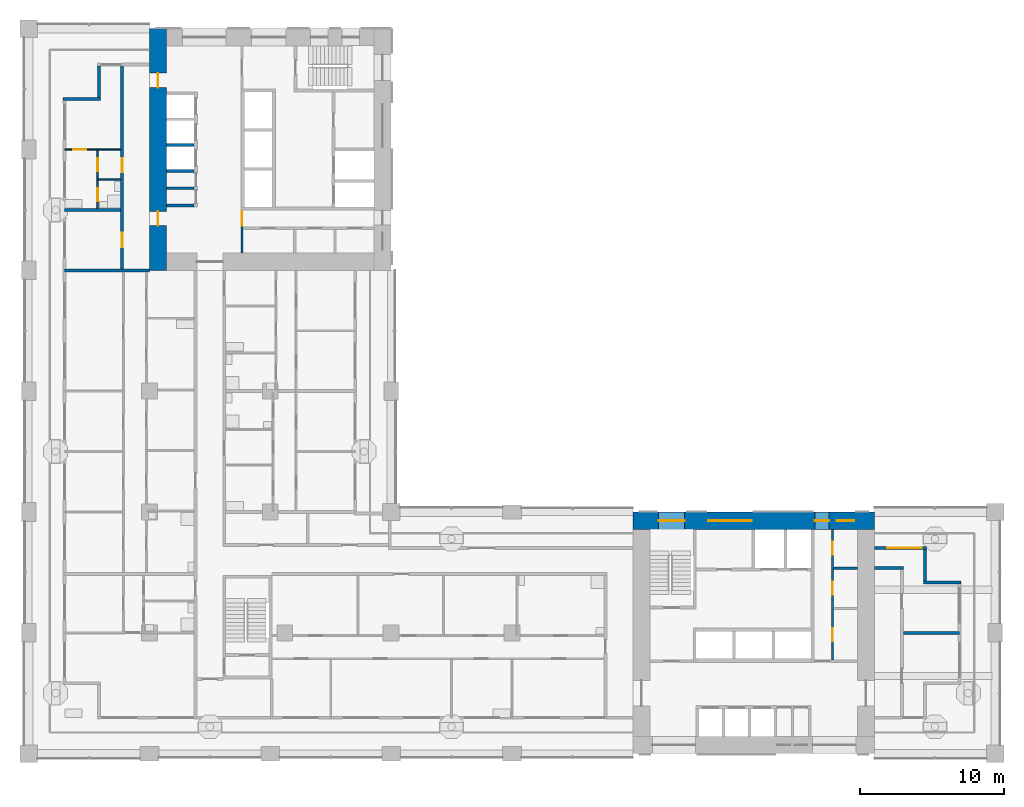
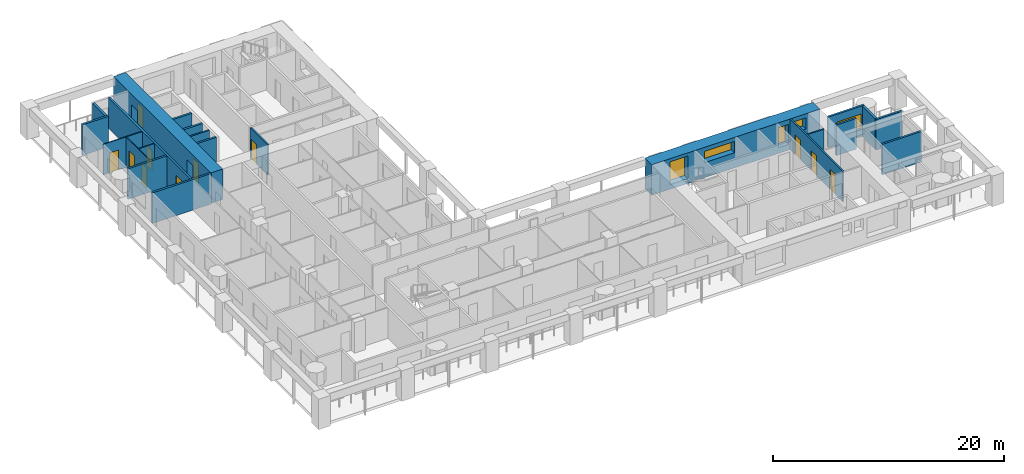
# One storey, part 6 of 18: 22 walls, 11 doors, 5 windows, 16 openings.
"""IFC4 building model written with IfcOpenShell, lengths in metres."""

from ifc_helpers import new_model, si_unit, direction, frame, frame_2d, origin, place, context, subcontext, project, spatial, rectangle, extrude, material, layer, layer_set, type_object, element, fill, save


model = new_model("IFC4")

# Units and contexts
model_context = context("Model", 3, precision=1e-05, world=origin(), true_north=direction((0.0, 1.0)))
body_context = subcontext(model_context, "Body", "Model", "MODEL_VIEW")
ifc_project = project(units=[si_unit("LENGTHUNIT", "METRE"), si_unit("AREAUNIT", "SQUARE_METRE"), si_unit("VOLUMEUNIT", "CUBIC_METRE"), si_unit("PLANEANGLEUNIT", "RADIAN"), si_unit("MASSUNIT", "GRAM", prefix="KILO")], contexts=[model_context])

# Site, building, storey
site_placement = place(None, origin())
site = spatial("IfcSite", under=ifc_project, at=site_placement, CompositionType="ELEMENT")
building_placement = place(site_placement, origin())
building = spatial("IfcBuilding", under=site, at=building_placement, Name="Vermilion Gate Residences", CompositionType="ELEMENT")
storey_placement = place(building_placement, frame((0.0, 0.0, 88.199951171875)))
storey = spatial("IfcBuildingStorey", under=building, at=storey_placement, Name="L21", CompositionType="ELEMENT", Elevation=88.199951171875)

# Wall
ifc_material_1 = material(Name="Masonry blockwork", Category="masonry")
ifc_layer_1 = layer(ifc_material_1, 0.14990234375)
ifc_layer_set_1 = layer_set([ifc_layer_1], Name="BLOCKWORK PARTITION 150 EI 120")
wall_type_1 = type_object("IfcWallType", Name="BLOCKWORK PARTITION 150 EI 120", PredefinedType="PARTITIONING", material=ifc_layer_set_1)
wall_1_placement = place(storey_placement, frame((55.949951171875, 21.284912109375, 0.0), z_axis=(0.0, 0.0, 1.0), x_axis=(1.0, 0.0, 0.0)))
element("IfcWall", 1, at=wall_1_placement, inside=storey, type_object=wall_type_1, Name="Core room partition A21-ES-P1", PredefinedType="PARTITIONING", context=body_context, shape_type="SweptSolid", body=[
    extrude(rectangle(XDim=1.650146484375, YDim=0.14990234375, at=frame_2d((0.8251953125, 0.0))), origin(), (0.0, 0.0, 1.0), 3.219970703125),
])

# Wall, openings, doors
wall_2_placement = place(storey_placement, frame((55.875, 14.89990234375, 0.0), z_axis=(0.0, 0.0, 1.0), x_axis=(0.0, 1.0, 0.0)))
wall_2 = element("IfcWall", 2, at=wall_2_placement, inside=storey, type_object=wall_type_1, Name="Core room partition A21-ES-W", PredefinedType="PARTITIONING", context=body_context, shape_type="SweptSolid", body=[
    extrude(rectangle(XDim=9.10009765625, YDim=0.14990234375, at=frame_2d((4.550048828125, 0.0))), origin(), (0.0, 0.0, 1.0), 3.219970703125),
])
opening_1_placement = place(wall_2_placement, frame((1.31005859375, 0.0, 0.0)))
opening_1 = element("IfcOpeningElement", 3, at=opening_1_placement, cuts=wall_2, Name="Opening DK21014", PredefinedType="OPENING", context=body_context, shape_type="SweptSolid", body=[
    extrude(rectangle(XDim=0.89990234375, YDim=2.10009765625, at=frame_2d((0.449951171875, 1.050048828125))), frame((0.0, 0.0849609375, 0.0), z_axis=(0.0, -1.0, 0.0), x_axis=(1.0, 0.0, 0.0)), (0.0, 0.0, 1.0), 0.169921875),
])
opening_2_placement = place(wall_2_placement, frame((4.5400390625, 0.0, 0.0)))
opening_2 = element("IfcOpeningElement", 4, at=opening_2_placement, cuts=wall_2, Name="Opening DK21015", PredefinedType="OPENING", context=body_context, shape_type="SweptSolid", body=[
    extrude(rectangle(XDim=0.89990234375, YDim=2.10009765625, at=frame_2d((0.449951171875, 1.050048828125))), frame((0.0, 0.0849609375, 0.0), z_axis=(0.0, -1.0, 0.0), x_axis=(1.0, 0.0, 0.0)), (0.0, 0.0, 1.0), 0.169921875),
])
opening_3_placement = place(wall_2_placement, frame((7.330078125, 0.0, 0.0)))
opening_3 = element("IfcOpeningElement", 5, at=opening_3_placement, cuts=wall_2, Name="Opening DK21016", PredefinedType="OPENING", context=body_context, shape_type="SweptSolid", body=[
    extrude(rectangle(XDim=0.89990234375, YDim=2.10009765625, at=frame_2d((0.449951171875, 1.050048828125))), frame((0.0, 0.0849609375, 0.0), z_axis=(0.0, -1.0, 0.0), x_axis=(1.0, 0.0, 0.0)), (0.0, 0.0, 1.0), 0.169921875),
])
ifc_material_2 = material(Name="Steel", Category="steel")
door_type_1 = type_object("IfcDoorType", Name="SERVICE ROOM DOOR FD60 900 X 2100", OperationType="SINGLE_SWING_LEFT", PredefinedType="DOOR", material=ifc_material_2)
door_1_placement = place(opening_1_placement, frame((0.89990234375, 0.0, 0.0), z_axis=(0.0, 0.0, 1.0), x_axis=(-1.0, 0.0, 0.0)))
door_1 = element("IfcDoor", 6, at=door_1_placement, inside=storey, type_object=door_type_1, Name="Parcel room A21", OperationType="SINGLE_SWING_RIGHT", OverallHeight=2.10009765625, OverallWidth=0.89990234375, PredefinedType="DOOR", context=body_context, shape_type="SweptSolid", body=[
    extrude(rectangle(XDim=0.89990234375, YDim=2.10009765625, at=frame_2d((0.449951171875, 1.050048828125))), frame((0.0, 0.02490234375, 0.0), z_axis=(0.0, -1.0, 0.0), x_axis=(1.0, 0.0, 0.0)), (0.0, 0.0, 1.0), 0.050048828125),
])
fill(opening_1, door_1)
door_2_placement = place(opening_2_placement, frame((0.89990234375, 0.0, 0.0), z_axis=(0.0, 0.0, 1.0), x_axis=(-1.0, 0.0, 0.0)))
door_2 = element("IfcDoor", 7, at=door_2_placement, inside=storey, type_object=door_type_1, Name="Cleaner's store A21", OperationType="SINGLE_SWING_RIGHT", OverallHeight=2.10009765625, OverallWidth=0.89990234375, PredefinedType="DOOR", context=body_context, shape_type="SweptSolid", body=[
    extrude(rectangle(XDim=0.89990234375, YDim=2.10009765625, at=frame_2d((0.449951171875, 1.050048828125))), frame((0.0, 0.02490234375, 0.0), z_axis=(0.0, -1.0, 0.0), x_axis=(1.0, 0.0, 0.0)), (0.0, 0.0, 1.0), 0.050048828125),
])
fill(opening_2, door_2)
door_3_placement = place(opening_3_placement, frame((0.89990234375, 0.0, 0.0), z_axis=(0.0, 0.0, 1.0), x_axis=(-1.0, 0.0, 0.0)))
door_3 = element("IfcDoor", 8, at=door_3_placement, inside=storey, type_object=door_type_1, Name="Electrical room A21", OperationType="SINGLE_SWING_LEFT", OverallHeight=2.10009765625, OverallWidth=0.89990234375, PredefinedType="DOOR", context=body_context, shape_type="SweptSolid", body=[
    extrude(rectangle(XDim=0.89990234375, YDim=2.10009765625, at=frame_2d((0.449951171875, 1.050048828125))), frame((0.0, 0.02490234375, 0.0), z_axis=(0.0, -1.0, 0.0), x_axis=(1.0, 0.0, 0.0)), (0.0, 0.0, 1.0), 0.050048828125),
])
fill(opening_3, door_3)

# Wall
wall_3_placement = place(storey_placement, frame((9.60009765625, 47.699951171875, 0.0), z_axis=(0.0, 0.0, 1.0), x_axis=(1.0, 0.0, 0.0)))
element("IfcWall", 9, at=wall_3_placement, inside=storey, type_object=wall_type_1, Name="Core room partition B21-SR-P0", PredefinedType="PARTITIONING", context=body_context, shape_type="SweptSolid", body=[
    extrude(rectangle(XDim=1.89990234375, YDim=0.14990234375, at=frame_2d((0.949951171875, 0.0))), origin(), (0.0, 0.0, 1.0), 3.219970703125),
])

# Wall, opening, door
wall_4_placement = place(storey_placement, frame((14.824951171875, 46.199951171875, 0.0), z_axis=(0.0, 0.0, 1.0), x_axis=(0.0, -1.0, 0.0)))
wall_4 = element("IfcWall", 10, at=wall_4_placement, inside=storey, type_object=wall_type_1, Name="Core room partition B21-ES-S", PredefinedType="PARTITIONING", context=body_context, shape_type="SweptSolid", body=[
    extrude(rectangle(XDim=3.0, YDim=0.14990234375, at=frame_2d((1.5, 0.0))), origin(), (0.0, 0.0, 1.0), 3.219970703125),
])
opening_4_placement = place(wall_4_placement, frame((0.10009765625, 0.0, 0.0)))
opening_4 = element("IfcOpeningElement", 11, at=opening_4_placement, cuts=wall_4, Name="Opening DK21114", PredefinedType="OPENING", context=body_context, shape_type="SweptSolid", body=[
    extrude(rectangle(XDim=1.0, YDim=2.10009765625, at=frame_2d((0.5, 1.050048828125))), frame((0.0, 0.0849609375, 0.0), z_axis=(0.0, -1.0, 0.0), x_axis=(1.0, 0.0, 0.0)), (0.0, 0.0, 1.0), 0.169921875),
])
ifc_material_3 = material(Name="Steel", Category="steel")
door_type_2 = type_object("IfcDoorType", Name="FIRE DOOR FD60 1000 X 2100", OperationType="SINGLE_SWING_LEFT", PredefinedType="DOOR", material=ifc_material_3)
door_4_placement = place(opening_4_placement, frame((1.0, 0.0, 0.0), z_axis=(0.0, 0.0, 1.0), x_axis=(-1.0, 0.0, 0.0)))
door_4 = element("IfcDoor", 12, at=door_4_placement, inside=storey, type_object=door_type_2, Name="Service corridor door B21", OperationType="SINGLE_SWING_LEFT", OverallHeight=2.10009765625, OverallWidth=1.0, PredefinedType="DOOR", context=body_context, shape_type="SweptSolid", body=[
    extrude(rectangle(XDim=1.0, YDim=2.10009765625, at=frame_2d((0.5, 1.050048828125))), frame((0.0, 0.02490234375, 0.0), z_axis=(0.0, -1.0, 0.0), x_axis=(1.0, 0.0, 0.0)), (0.0, 0.0, 1.0), 0.050048828125),
])
fill(opening_4, door_4)

# Walls
ifc_material_4 = material(Name="Insulated steel stud wall with terracotta rainscreen", Category="masonry")
ifc_layer_2 = layer(ifc_material_4, 0.199951171875)
ifc_layer_set_2 = layer_set([ifc_layer_2], Name="EXTERNAL WALL 200 TERRACOTTA RAINSCREEN")
wall_type_2 = type_object("IfcWallType", Name="EXTERNAL WALL 200 TERRACOTTA RAINSCREEN", PredefinedType="SOLIDWALL", material=ifc_layer_set_2)
wall_5_placement = place(storey_placement, frame((4.89990234375, 56.199951171875, 0.0), z_axis=(0.0, 0.0, 1.0), x_axis=(0.0, -1.0, 0.0)))
element("IfcWall", 13, at=wall_5_placement, inside=storey, type_object=wall_type_2, Name="External wall", PredefinedType="SOLIDWALL", context=body_context, shape_type="SweptSolid", body=[
    extrude(rectangle(XDim=2.199951171875, YDim=0.199951171875, at=frame_2d((1.10009765625, 0.0))), origin(), (0.0, 0.0, 1.0), 3.219970703125),
])
for number, where, z_axis, x_axis, name in (
    (14, (5.0, 53.89990234375, 0.0), (0.0, 0.0, 1.0), (-1.0, 0.0, 0.0), "External wall"),
    (15, (64.800048828125, 20.300048828125, 0.0), (0.0, 0.0, 1.0), (-1.0, 0.0, 0.0), "External wall"),
):
    element("IfcWall", number, at=place(storey_placement, frame(where, z_axis=z_axis, x_axis=x_axis)), inside=storey, type_object=wall_type_2, Name=name, PredefinedType="SOLIDWALL", context=body_context, shape_type="SweptSolid", body=[
        extrude(rectangle(XDim=2.60009765625, YDim=0.199951171875, at=frame_2d((1.300048828125, 0.0))), origin(), (0.0, 0.0, 1.0), 3.219970703125),
    ])
wall_6_placement = place(storey_placement, frame((62.300048828125, 20.39990234375, 0.0), z_axis=(0.0, 0.0, 1.0), x_axis=(0.0, 1.0, 0.0)))
element("IfcWall", 16, at=wall_6_placement, inside=storey, type_object=wall_type_2, Name="External wall", PredefinedType="SOLIDWALL", context=body_context, shape_type="SweptSolid", body=[
    extrude(rectangle(XDim=2.2001953125, YDim=0.199951171875, at=frame_2d((1.10009765625, 0.0))), origin(), (0.0, 0.0, 1.0), 3.219970703125),
])

# Wall, opening, window
wall_7_placement = place(storey_placement, frame((62.39990234375, 22.699951171875, 0.0), z_axis=(0.0, 0.0, 1.0), x_axis=(-1.0, 0.0, 0.0)))
wall_7 = element("IfcWall", 17, at=wall_7_placement, inside=storey, type_object=wall_type_2, Name="External wall", PredefinedType="SOLIDWALL", context=body_context, shape_type="SweptSolid", body=[
    extrude(rectangle(XDim=3.599853515625, YDim=0.199951171875, at=frame_2d((1.7998046875, 0.0))), origin(), (0.0, 0.0, 1.0), 3.219970703125),
])
opening_5_placement = place(wall_7_placement, frame((0.300048828125, 0.0, 0.89990234375)))
opening_5 = element("IfcOpeningElement", 18, at=opening_5_placement, cuts=wall_7, Name="Opening WE21023", PredefinedType="OPENING", context=body_context, shape_type="SweptSolid", body=[
    extrude(rectangle(XDim=2.39990234375, YDim=1.5, at=frame_2d((1.199951171875, 0.75))), frame((0.0, 0.10986328125, 0.0), z_axis=(0.0, -1.0, 0.0), x_axis=(1.0, 0.0, 0.0)), (0.0, 0.0, 1.0), 0.219970703125),
])
ifc_material_5 = material(Name="Aluminium and clear glass", Category="aluminium")
window_type_1 = type_object("IfcWindowType", Name="WINDOW 2400 X 1500", PartitioningType="SINGLE_PANEL", PredefinedType="WINDOW", material=ifc_material_5)
window_1_placement = place(opening_5_placement, origin())
window_1 = element("IfcWindow", 19, at=window_1_placement, inside=storey, type_object=window_type_1, Name="Window", OverallHeight=1.5, OverallWidth=2.39990234375, PartitioningType="SINGLE_PANEL", PredefinedType="WINDOW", context=body_context, shape_type="SweptSolid", body=[
    extrude(rectangle(XDim=2.39990234375, YDim=1.5, at=frame_2d((1.199951171875, 0.75))), frame((0.0, 0.030029296875, 0.0), z_axis=(0.0, -1.0, 0.0), x_axis=(1.0, 0.0, 0.0)), (0.0, 0.0, 1.0), 0.06005859375),
])
fill(opening_5, window_1)

# Wall
ifc_material_6 = material(Name="Plasterboard on steel studs", Category="steel")
ifc_layer_3 = layer(ifc_material_6, 0.10009765625)
ifc_layer_set_3 = layer_set([ifc_layer_3], Name="PARTITION 100")
wall_type_3 = type_object("IfcWallType", Name="PARTITION 100", PredefinedType="PARTITIONING", material=ifc_layer_set_3)
wall_8_placement = place(storey_placement, frame((4.85009765625, 48.300048828125, 0.0), z_axis=(0.0, 0.0, 1.0), x_axis=(1.0, 0.0, 0.0)))
element("IfcWall", 20, at=wall_8_placement, inside=storey, type_object=wall_type_3, Name="Partition", PredefinedType="PARTITIONING", context=body_context, shape_type="SweptSolid", body=[
    extrude(rectangle(XDim=1.5498046875, YDim=0.10009765625, at=frame_2d((0.77490234375, 0.0))), origin(), (0.0, 0.0, 1.0), 3.219970703125),
])

# Wall, opening, door
wall_9_placement = place(storey_placement, frame((2.5, 50.39990234375, 0.0), z_axis=(0.0, 0.0, 1.0), x_axis=(1.0, 0.0, 0.0)))
wall_9 = element("IfcWall", 21, at=wall_9_placement, inside=storey, type_object=wall_type_3, Name="Partition", PredefinedType="PARTITIONING", context=body_context, shape_type="SweptSolid", body=[
    extrude(rectangle(XDim=3.89990234375, YDim=0.10009765625, at=frame_2d((1.949951171875, 0.0))), origin(), (0.0, 0.0, 1.0), 3.219970703125),
])
opening_6_placement = place(wall_9_placement, frame((0.60009765625, 0.0, 0.0)))
opening_6 = element("IfcOpeningElement", 22, at=opening_6_placement, cuts=wall_9, Name="Opening DA19014", PredefinedType="OPENING", context=body_context, shape_type="SweptSolid", body=[
    extrude(rectangle(XDim=0.89990234375, YDim=2.10009765625, at=frame_2d((0.449951171875, 1.050048828125))), frame((0.0, 0.06005859375, 0.0), z_axis=(0.0, -1.0, 0.0), x_axis=(1.0, 0.0, 0.0)), (0.0, 0.0, 1.0), 0.1201171875),
])
ifc_material_7 = material(Name="Timber", Category="wood")
door_type_3 = type_object("IfcDoorType", Name="INTERIOR DOOR 900 X 2100", OperationType="SINGLE_SWING_LEFT", PredefinedType="DOOR", material=ifc_material_7)
door_5_placement = place(opening_6_placement, frame((0.89990234375, 0.0, 0.0), z_axis=(0.0, 0.0, 1.0), x_axis=(-1.0, 0.0, 0.0)))
door_5 = element("IfcDoor", 23, at=door_5_placement, inside=storey, type_object=door_type_3, Name="Interior door", OperationType="SINGLE_SWING_RIGHT", OverallHeight=2.10009765625, OverallWidth=0.89990234375, PredefinedType="DOOR", context=body_context, shape_type="SweptSolid", body=[
    extrude(rectangle(XDim=0.89990234375, YDim=2.10009765625, at=frame_2d((0.449951171875, 1.050048828125))), frame((0.0, 0.02490234375, 0.0), z_axis=(0.0, -1.0, 0.0), x_axis=(1.0, 0.0, 0.0)), (0.0, 0.0, 1.0), 0.050048828125),
])
fill(opening_6, door_5)

# Wall, openings, doors
wall_10_placement = place(storey_placement, frame((4.800048828125, 46.300048828125, 0.0), z_axis=(0.0, 0.0, 1.0), x_axis=(0.0, 1.0, 0.0)))
wall_10 = element("IfcWall", 24, at=wall_10_placement, inside=storey, type_object=wall_type_3, Name="Partition", PredefinedType="PARTITIONING", context=body_context, shape_type="SweptSolid", body=[
    extrude(rectangle(XDim=4.050048828125, YDim=0.10009765625, at=frame_2d((2.02490234375, 0.0))), origin(), (0.0, 0.0, 1.0), 3.219970703125),
])
opening_7_placement = place(wall_10_placement, frame((2.60009765625, 0.0, 0.0)))
opening_7 = element("IfcOpeningElement", 25, at=opening_7_placement, cuts=wall_10, Name="Opening DA19015", PredefinedType="OPENING", context=body_context, shape_type="SweptSolid", body=[
    extrude(rectangle(XDim=0.89990234375, YDim=2.10009765625, at=frame_2d((0.449951171875, 1.050048828125))), frame((0.0, 0.06005859375, 0.0), z_axis=(0.0, -1.0, 0.0), x_axis=(1.0, 0.0, 0.0)), (0.0, 0.0, 1.0), 0.1201171875),
])
opening_8_placement = place(wall_10_placement, frame((0.5, 0.0, 0.0)))
opening_8 = element("IfcOpeningElement", 26, at=opening_8_placement, cuts=wall_10, Name="Opening DA19016", PredefinedType="OPENING", context=body_context, shape_type="SweptSolid", body=[
    extrude(rectangle(XDim=0.89990234375, YDim=2.10009765625, at=frame_2d((0.449951171875, 1.050048828125))), frame((0.0, 0.06005859375, 0.0), z_axis=(0.0, -1.0, 0.0), x_axis=(1.0, 0.0, 0.0)), (0.0, 0.0, 1.0), 0.1201171875),
])
door_6_placement = place(opening_7_placement, origin())
door_6 = element("IfcDoor", 27, at=door_6_placement, inside=storey, type_object=door_type_3, Name="Interior door", OperationType="SINGLE_SWING_RIGHT", OverallHeight=2.10009765625, OverallWidth=0.89990234375, PredefinedType="DOOR", context=body_context, shape_type="SweptSolid", body=[
    extrude(rectangle(XDim=0.89990234375, YDim=2.10009765625, at=frame_2d((0.449951171875, 1.050048828125))), frame((0.0, 0.02490234375, 0.0), z_axis=(0.0, -1.0, 0.0), x_axis=(1.0, 0.0, 0.0)), (0.0, 0.0, 1.0), 0.050048828125),
])
fill(opening_7, door_6)
door_7_placement = place(opening_8_placement, frame((0.89990234375, 0.0, 0.0), z_axis=(0.0, 0.0, 1.0), x_axis=(-1.0, 0.0, 0.0)))
door_7 = element("IfcDoor", 28, at=door_7_placement, inside=storey, type_object=door_type_3, Name="Interior door", OperationType="SINGLE_SWING_RIGHT", OverallHeight=2.10009765625, OverallWidth=0.89990234375, PredefinedType="DOOR", context=body_context, shape_type="SweptSolid", body=[
    extrude(rectangle(XDim=0.89990234375, YDim=2.10009765625, at=frame_2d((0.449951171875, 1.050048828125))), frame((0.0, 0.02490234375, 0.0), z_axis=(0.0, -1.0, 0.0), x_axis=(1.0, 0.0, 0.0)), (0.0, 0.0, 1.0), 0.050048828125),
])
fill(opening_8, door_7)

# Walls
ifc_material_8 = material(Name="Fire-rated plasterboard on steel studs", Category="steel")
ifc_layer_4 = layer(ifc_material_8, 0.199951171875)
ifc_layer_set_4 = layer_set([ifc_layer_4], Name="PARTY WALL 200 EI 120")
wall_type_4 = type_object("IfcWallType", Name="PARTY WALL 200 EI 120", PredefinedType="PARTITIONING", material=ifc_layer_set_4)
wall_11_placement = place(storey_placement, frame((60.800048828125, 16.800048828125, 0.0), z_axis=(0.0, 0.0, 1.0), x_axis=(1.0, 0.0, 0.0)))
element("IfcWall", 29, at=wall_11_placement, inside=storey, type_object=wall_type_4, Name="Party and corridor wall", PredefinedType="PARTITIONING", context=body_context, shape_type="SweptSolid", body=[
    extrude(rectangle(XDim=3.89990234375, YDim=0.199951171875, at=frame_2d((1.949951171875, 0.0))), origin(), (0.0, 0.0, 1.0), 3.219970703125),
])
wall_12_placement = place(storey_placement, frame((58.800048828125, 21.300048828125, 0.0), z_axis=(0.0, 0.0, 1.0), x_axis=(1.0, 0.0, 0.0)))
element("IfcWall", 30, at=wall_12_placement, inside=storey, type_object=wall_type_4, Name="Party and corridor wall", PredefinedType="PARTITIONING", context=body_context, shape_type="SweptSolid", body=[
    extrude(rectangle(XDim=2.0, YDim=0.199951171875, at=frame_2d((1.0, 0.0))), origin(), (0.0, 0.0, 1.0), 3.219970703125),
])
wall_13_placement = place(storey_placement, frame((2.5, 42.0, 0.0), z_axis=(0.0, 0.0, 1.0), x_axis=(1.0, 0.0, 0.0)))
element("IfcWall", 31, at=wall_13_placement, inside=storey, type_object=wall_type_4, Name="Party and corridor wall", PredefinedType="PARTITIONING", context=body_context, shape_type="SweptSolid", body=[
    extrude(rectangle(XDim=5.89990234375, YDim=0.199951171875, at=frame_2d((2.949951171875, 0.0))), origin(), (0.0, 0.0, 1.0), 3.219970703125),
])
wall_14_placement = place(storey_placement, frame((2.5, 46.199951171875, 0.0), z_axis=(0.0, 0.0, 1.0), x_axis=(1.0, 0.0, 0.0)))
element("IfcWall", 32, at=wall_14_placement, inside=storey, type_object=wall_type_4, Name="Party and corridor wall", PredefinedType="PARTITIONING", context=body_context, shape_type="SweptSolid", body=[
    extrude(rectangle(XDim=3.89990234375, YDim=0.199951171875, at=frame_2d((1.949951171875, 0.0))), origin(), (0.0, 0.0, 1.0), 3.219970703125),
])

# Wall, openings, doors
wall_15_placement = place(storey_placement, frame((6.5, 42.10009765625, 0.0), z_axis=(0.0, 0.0, 1.0), x_axis=(0.0, 1.0, 0.0)))
wall_15 = element("IfcWall", 33, at=wall_15_placement, inside=storey, type_object=wall_type_4, Name="Party and corridor wall", PredefinedType="PARTITIONING", context=body_context, shape_type="SweptSolid", body=[
    extrude(rectangle(XDim=14.199951171875, YDim=0.199951171875, at=frame_2d((7.10009765625, 0.0))), origin(), (0.0, 0.0, 1.0), 3.219970703125),
])
opening_9_placement = place(wall_15_placement, frame((1.5, 0.0, 0.0)))
opening_9 = element("IfcOpeningElement", 34, at=opening_9_placement, cuts=wall_15, Name="Opening DA19017", PredefinedType="OPENING", context=body_context, shape_type="SweptSolid", body=[
    extrude(rectangle(XDim=1.0, YDim=2.10009765625, at=frame_2d((0.5, 1.050048828125))), frame((0.0, 0.10986328125, 0.0), z_axis=(0.0, -1.0, 0.0), x_axis=(1.0, 0.0, 0.0)), (0.0, 0.0, 1.0), 0.219970703125),
])
opening_10_placement = place(wall_15_placement, frame((6.699951171875, 0.0, 0.0)))
opening_10 = element("IfcOpeningElement", 35, at=opening_10_placement, cuts=wall_15, Name="Opening DA19018", PredefinedType="OPENING", context=body_context, shape_type="SweptSolid", body=[
    extrude(rectangle(XDim=1.0, YDim=2.10009765625, at=frame_2d((0.5, 1.050048828125))), frame((0.0, 0.10986328125, 0.0), z_axis=(0.0, -1.0, 0.0), x_axis=(1.0, 0.0, 0.0)), (0.0, 0.0, 1.0), 0.219970703125),
])
ifc_material_9 = material(Name="Steel", Category="steel")
door_type_4 = type_object("IfcDoorType", Name="ENTRANCE DOOR 1000 X 2100 FD30", OperationType="SINGLE_SWING_LEFT", PredefinedType="DOOR", material=ifc_material_9)
door_8_placement = place(opening_9_placement, origin())
door_8 = element("IfcDoor", 36, at=door_8_placement, inside=storey, type_object=door_type_4, Name="Entrance door", OperationType="SINGLE_SWING_LEFT", OverallHeight=2.10009765625, OverallWidth=1.0, PredefinedType="DOOR", context=body_context, shape_type="SweptSolid", body=[
    extrude(rectangle(XDim=1.0, YDim=2.10009765625, at=frame_2d((0.5, 1.050048828125))), frame((0.0, 0.02490234375, 0.0), z_axis=(0.0, -1.0, 0.0), x_axis=(1.0, 0.0, 0.0)), (0.0, 0.0, 1.0), 0.050048828125),
])
fill(opening_9, door_8)
door_9_placement = place(opening_10_placement, origin())
door_9 = element("IfcDoor", 37, at=door_9_placement, inside=storey, type_object=door_type_4, Name="Entrance door", OperationType="SINGLE_SWING_LEFT", OverallHeight=2.10009765625, OverallWidth=1.0, PredefinedType="DOOR", context=body_context, shape_type="SweptSolid", body=[
    extrude(rectangle(XDim=1.0, YDim=2.10009765625, at=frame_2d((0.5, 1.050048828125))), frame((0.0, 0.02490234375, 0.0), z_axis=(0.0, -1.0, 0.0), x_axis=(1.0, 0.0, 0.0)), (0.0, 0.0, 1.0), 0.050048828125),
])
fill(opening_10, door_9)

# Walls
ifc_material_10 = material(Name="Concrete C60", Category="concrete")
ifc_layer_5 = layer(ifc_material_10, 0.199951171875)
ifc_layer_set_5 = layer_set([ifc_layer_5], Name="RC CORE INTERNAL WALL 200 C60")
wall_type_5 = type_object("IfcWallType", Name="RC CORE INTERNAL WALL 200 C60", PredefinedType="SHEAR", material=ifc_layer_set_5)
for number, where, z_axis, x_axis, name in (
    (38, (9.60009765625, 50.699951171875, 0.0), (0.0, 0.0, 1.0), (1.0, 0.0, 0.0), "Core internal wall B21-LR-D2"),
    (39, (9.60009765625, 48.89990234375, 0.0), (0.0, 0.0, 1.0), (1.0, 0.0, 0.0), "Core internal wall B21-LR-D3"),
    (40, (9.60009765625, 46.5, 0.0), (0.0, 0.0, 1.0), (1.0, 0.0, 0.0), "Core internal wall B21-LR-DE"),
):
    element("IfcWall", number, at=place(storey_placement, frame(where, z_axis=z_axis, x_axis=x_axis)), inside=storey, type_object=wall_type_5, Name=name, PredefinedType="SHEAR", context=body_context, shape_type="SweptSolid", body=[
        extrude(rectangle(XDim=1.89990234375, YDim=0.199951171875, at=frame_2d((0.949951171875, 0.0))), origin(), (0.0, 0.0, 1.0), 3.219970703125),
    ])

# Wall, openings, doors
ifc_material_11 = material(Name="Concrete C70", Category="concrete")
ifc_layer_6 = layer(ifc_material_11, 1.199951171875)
ifc_layer_set_6 = layer_set([ifc_layer_6], Name="RC CORE WALL 1200 C70")
wall_type_6 = type_object("IfcWallType", Name="RC CORE WALL 1200 C70", PredefinedType="SHEAR", material=ifc_layer_set_6)
wall_16_placement = place(storey_placement, frame((9.0, 58.800048828125, 0.0), z_axis=(0.0, 0.0, 1.0), x_axis=(0.0, -1.0, 0.0)))
wall_16 = element("IfcWall", 41, at=wall_16_placement, inside=storey, type_object=wall_type_6, Name="Core wall B21-OUT-B0", PredefinedType="SHEAR", context=body_context, shape_type="SweptSolid", body=[
    extrude(rectangle(XDim=16.800048828125, YDim=1.199951171875, at=frame_2d((8.39990234375, 0.0))), origin(), (0.0, 0.0, 1.0), 3.219970703125),
])
opening_11_placement = place(wall_16_placement, frame((3.10009765625, 0.0, 0.0)))
opening_11 = element("IfcOpeningElement", 42, at=opening_11_placement, cuts=wall_16, Name="Opening DK21101", PredefinedType="OPENING", context=body_context, shape_type="SweptSolid", body=[
    extrude(rectangle(XDim=1.0, YDim=2.10009765625, at=frame_2d((0.5, 1.050048828125))), frame((0.0, 0.60986328125, 0.0), z_axis=(0.0, -1.0, 0.0), x_axis=(1.0, 0.0, 0.0)), (0.0, 0.0, 1.0), 1.219970703125),
])
opening_12_placement = place(wall_16_placement, frame((12.699951171875, 0.0, 0.0)))
opening_12 = element("IfcOpeningElement", 43, at=opening_12_placement, cuts=wall_16, Name="Opening DK21102", PredefinedType="OPENING", context=body_context, shape_type="SweptSolid", body=[
    extrude(rectangle(XDim=1.0, YDim=2.10009765625, at=frame_2d((0.5, 1.050048828125))), frame((0.0, 0.60986328125, 0.0), z_axis=(0.0, -1.0, 0.0), x_axis=(1.0, 0.0, 0.0)), (0.0, 0.0, 1.0), 1.219970703125),
])
door_10_placement = place(opening_11_placement, origin())
door_10 = element("IfcDoor", 44, at=door_10_placement, inside=storey, type_object=door_type_2, Name="Core lobby side door B21", OperationType="SINGLE_SWING_RIGHT", OverallHeight=2.10009765625, OverallWidth=1.0, PredefinedType="DOOR", context=body_context, shape_type="SweptSolid", body=[
    extrude(rectangle(XDim=1.0, YDim=2.10009765625, at=frame_2d((0.5, 1.050048828125))), frame((0.0, 0.02490234375, 0.0), z_axis=(0.0, -1.0, 0.0), x_axis=(1.0, 0.0, 0.0)), (0.0, 0.0, 1.0), 0.050048828125),
])
fill(opening_11, door_10)
door_11_placement = place(opening_12_placement, origin())
door_11 = element("IfcDoor", 45, at=door_11_placement, inside=storey, type_object=door_type_2, Name="Core lobby side door B21", OperationType="SINGLE_SWING_LEFT", OverallHeight=2.10009765625, OverallWidth=1.0, PredefinedType="DOOR", context=body_context, shape_type="SweptSolid", body=[
    extrude(rectangle(XDim=1.0, YDim=2.10009765625, at=frame_2d((0.5, 1.050048828125))), frame((0.0, 0.02490234375, 0.0), z_axis=(0.0, -1.0, 0.0), x_axis=(1.0, 0.0, 0.0)), (0.0, 0.0, 1.0), 0.050048828125),
])
fill(opening_12, door_11)

# Wall, openings, windows
ifc_material_12 = material(Name="Concrete C70 red-oxide pigmented", Category="concrete")
ifc_layer_7 = layer(ifc_material_12, 1.199951171875)
ifc_layer_set_7 = layer_set([ifc_layer_7], Name="RC CORE WALL 1200 C70 RED OXIDE")
wall_type_7 = type_object("IfcWallType", Name="RC CORE WALL 1200 C70 RED OXIDE", PredefinedType="SHEAR", material=ifc_layer_set_7)
wall_17_placement = place(storey_placement, frame((42.0, 24.60009765625, 0.0), z_axis=(0.0, 0.0, 1.0), x_axis=(1.0, 0.0, 0.0)))
wall_17 = element("IfcWall", 46, at=wall_17_placement, inside=storey, type_object=wall_type_7, Name="Core wall A21-OUT-B1", PredefinedType="SHEAR", context=body_context, shape_type="SweptSolid", body=[
    extrude(rectangle(XDim=16.800048828125, YDim=1.199951171875, at=frame_2d((8.39990234375, 0.0))), origin(), (0.0, 0.0, 1.0), 3.219970703125),
])
opening_13_placement = place(wall_17_placement, frame((1.800048828125, 0.0, 0.5)))
opening_13 = element("IfcOpeningElement", 47, at=opening_13_placement, cuts=wall_17, Name="Opening WKA2105", PredefinedType="OPENING", context=body_context, shape_type="SweptSolid", body=[
    extrude(rectangle(XDim=1.800048828125, YDim=2.39990234375, at=frame_2d((0.89990234375, 1.199951171875))), frame((0.0, 0.60986328125, 0.0), z_axis=(0.0, -1.0, 0.0), x_axis=(1.0, 0.0, 0.0)), (0.0, 0.0, 1.0), 1.219970703125),
])
opening_14_placement = place(wall_17_placement, frame((5.25, 0.0, 1.60009765625)))
opening_14 = element("IfcOpeningElement", 48, at=opening_14_placement, cuts=wall_17, Name="Opening WKA2106", PredefinedType="OPENING", context=body_context, shape_type="SweptSolid", body=[
    extrude(rectangle(XDim=3.0, YDim=1.199951171875, at=frame_2d((1.5, 0.60009765625))), frame((0.0, 0.60986328125, 0.0), z_axis=(0.0, -1.0, 0.0), x_axis=(1.0, 0.0, 0.0)), (0.0, 0.0, 1.0), 1.219970703125),
])
opening_15_placement = place(wall_17_placement, frame((12.64990234375, 0.0, 0.60009765625)))
opening_15 = element("IfcOpeningElement", 49, at=opening_15_placement, cuts=wall_17, Name="Opening WKA2107", PredefinedType="OPENING", context=body_context, shape_type="SweptSolid", body=[
    extrude(rectangle(XDim=1.0, YDim=2.10009765625, at=frame_2d((0.5, 1.050048828125))), frame((0.0, 0.60986328125, 0.0), z_axis=(0.0, -1.0, 0.0), x_axis=(1.0, 0.0, 0.0)), (0.0, 0.0, 1.0), 1.219970703125),
])
opening_16_placement = place(wall_17_placement, frame((14.175048828125, 0.0, 1.60009765625)))
opening_16 = element("IfcOpeningElement", 50, at=opening_16_placement, cuts=wall_17, Name="Opening WKA2108", PredefinedType="OPENING", context=body_context, shape_type="SweptSolid", body=[
    extrude(rectangle(XDim=1.199951171875, YDim=1.199951171875, at=frame_2d((0.60009765625, 0.60009765625))), frame((0.0, 0.60986328125, 0.0), z_axis=(0.0, -1.0, 0.0), x_axis=(1.0, 0.0, 0.0)), (0.0, 0.0, 1.0), 1.219970703125),
])
ifc_material_13 = material(Name="Aluminium and clear glass", Category="aluminium")
window_type_2 = type_object("IfcWindowType", Name="CORE CORRIDOR WINDOW 1000 X 2100", PartitioningType="SINGLE_PANEL", PredefinedType="WINDOW", material=ifc_material_13)
window_2_placement = place(opening_15_placement, origin())
window_2 = element("IfcWindow", 51, at=window_2_placement, inside=storey, type_object=window_type_2, Name="Core corridor window", OverallHeight=2.10009765625, OverallWidth=1.0, PartitioningType="SINGLE_PANEL", PredefinedType="WINDOW", context=body_context, shape_type="SweptSolid", body=[
    extrude(rectangle(XDim=1.0, YDim=2.10009765625, at=frame_2d((0.5, 1.050048828125))), frame((0.0, 0.030029296875, 0.0), z_axis=(0.0, -1.0, 0.0), x_axis=(1.0, 0.0, 0.0)), (0.0, 0.0, 1.0), 0.06005859375),
])
fill(opening_15, window_2)
ifc_material_14 = material(Name="Aluminium frame with louvre blades", Category="aluminium")
window_type_3 = type_object("IfcWindowType", Name="CORE LOUVRE 1200 X 1200", PartitioningType="SINGLE_PANEL", PredefinedType="WINDOW", material=ifc_material_14)
window_3_placement = place(opening_16_placement, origin())
window_3 = element("IfcWindow", 52, at=window_3_placement, inside=storey, type_object=window_type_3, Name="Core louvre", OverallHeight=1.199951171875, OverallWidth=1.199951171875, PartitioningType="SINGLE_PANEL", PredefinedType="WINDOW", context=body_context, shape_type="SweptSolid", body=[
    extrude(rectangle(XDim=1.199951171875, YDim=1.199951171875, at=frame_2d((0.60009765625, 0.60009765625))), frame((0.0, 0.030029296875, 0.0), z_axis=(0.0, -1.0, 0.0), x_axis=(1.0, 0.0, 0.0)), (0.0, 0.0, 1.0), 0.06005859375),
])
fill(opening_16, window_3)
ifc_material_15 = material(Name="Aluminium frame with louvre blades", Category="aluminium")
window_type_4 = type_object("IfcWindowType", Name="CORE LOUVRE 3000 X 1200", PartitioningType="SINGLE_PANEL", PredefinedType="WINDOW", material=ifc_material_15)
window_4_placement = place(opening_14_placement, origin())
window_4 = element("IfcWindow", 53, at=window_4_placement, inside=storey, type_object=window_type_4, Name="Core louvre", OverallHeight=1.199951171875, OverallWidth=3.0, PartitioningType="SINGLE_PANEL", PredefinedType="WINDOW", context=body_context, shape_type="SweptSolid", body=[
    extrude(rectangle(XDim=3.0, YDim=1.199951171875, at=frame_2d((1.5, 0.60009765625))), frame((0.0, 0.030029296875, 0.0), z_axis=(0.0, -1.0, 0.0), x_axis=(1.0, 0.0, 0.0)), (0.0, 0.0, 1.0), 0.06005859375),
])
fill(opening_14, window_4)
ifc_material_16 = material(Name="Aluminium and clear glass", Category="aluminium")
window_type_5 = type_object("IfcWindowType", Name="CORE STAIR WINDOW 1800 X 2400", PartitioningType="SINGLE_PANEL", PredefinedType="WINDOW", material=ifc_material_16)
window_5_placement = place(opening_13_placement, origin())
window_5 = element("IfcWindow", 54, at=window_5_placement, inside=storey, type_object=window_type_5, Name="Core stair window", OverallHeight=2.39990234375, OverallWidth=1.800048828125, PartitioningType="SINGLE_PANEL", PredefinedType="WINDOW", context=body_context, shape_type="SweptSolid", body=[
    extrude(rectangle(XDim=1.800048828125, YDim=2.39990234375, at=frame_2d((0.89990234375, 1.199951171875))), frame((0.0, 0.030029296875, 0.0), z_axis=(0.0, -1.0, 0.0), x_axis=(1.0, 0.0, 0.0)), (0.0, 0.0, 1.0), 0.06005859375),
])
fill(opening_13, window_5)

save(model, "model.ifc")
